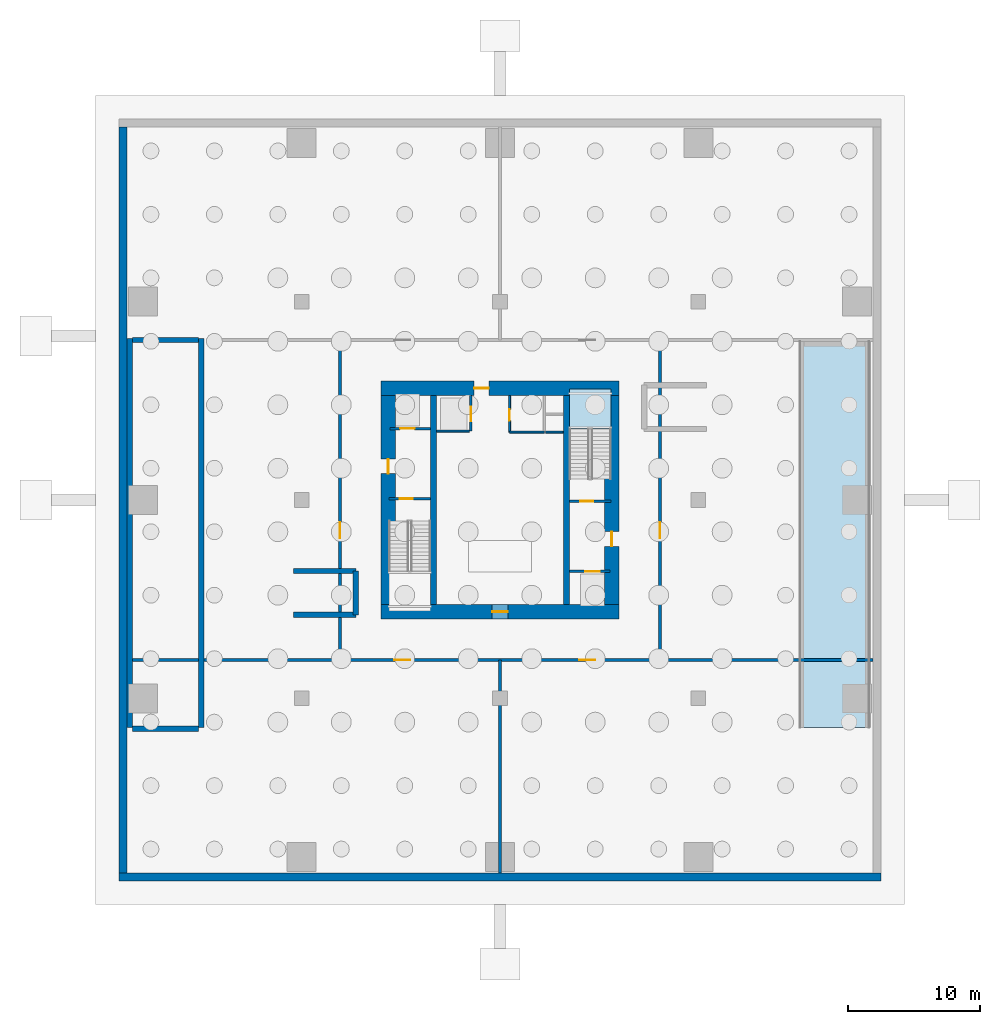
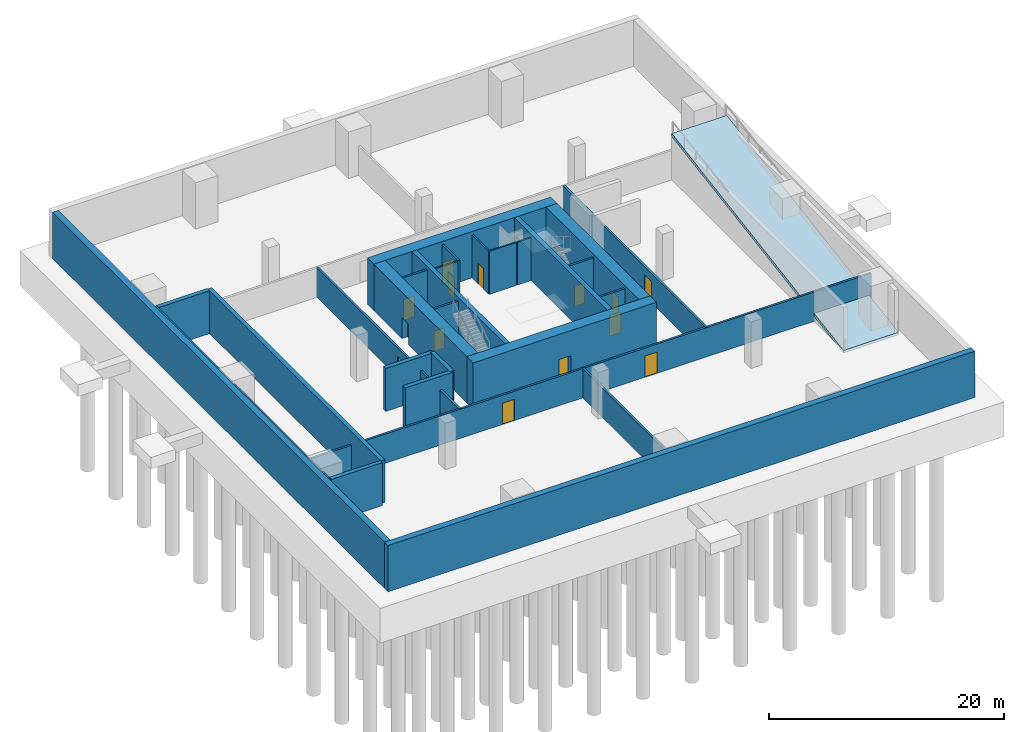
# One storey, part 2 of 6: 28 walls, 14 doors, 2 slabs, 14 openings, 1 element without a shape of its own.
"""IFC4 building model written with IfcOpenShell, lengths in metres."""

from ifc_helpers import new_model, si_unit, direction, frame, frame_2d, origin, place, context, subcontext, project, spatial, polyline, rectangle, outline, extrude, material, layer, layer_set, type_object, element, fill, aggregate, save


model = new_model("IFC4")

# Units and contexts
model_context = context("Model", 3, precision=1e-05, world=origin(), true_north=direction((0.0, 1.0)))
body_context = subcontext(model_context, "Body", "Model", "MODEL_VIEW")
ifc_project = project(units=[si_unit("LENGTHUNIT", "METRE"), si_unit("AREAUNIT", "SQUARE_METRE"), si_unit("VOLUMEUNIT", "CUBIC_METRE"), si_unit("PLANEANGLEUNIT", "RADIAN"), si_unit("MASSUNIT", "GRAM", prefix="KILO")], contexts=[model_context])

# Site, building, storey
site_placement = place(None, origin())
site = spatial("IfcSite", under=ifc_project, at=site_placement, CompositionType="ELEMENT")
building_placement = place(site_placement, origin())
building = spatial("IfcBuilding", under=site, at=building_placement, Name="Belovzor Exchange Tower", CompositionType="ELEMENT")
storey_placement = place(building_placement, frame((0.0, 0.0, -9.60009765625)))
storey = spatial("IfcBuildingStorey", under=building, at=storey_placement, Name="B02", CompositionType="ELEMENT", Elevation=-9.60009765625)

# Slab
ifc_material_1 = material(Name="Concrete C50/60", Category="concrete")
ifc_layer_1 = layer(ifc_material_1, 0.320068359375)
ifc_layer_set_1 = layer_set([ifc_layer_1], Name="Concrete C50/60")
slab_type_1 = type_object("IfcSlabType", Name="Heated Reinforced Concrete Vehicle Ramp Slab 320", PredefinedType="FLOOR", material=ifc_layer_set_1)
slab_1_placement = place(storey_placement, frame((51.39990234375, 11.60009765625, 0.0), z_axis=(0.0, -0.162208471042, 0.98675651096), x_axis=(1.0, 0.0, 0.0)))
element("IfcSlab", 1, at=slab_1_placement, inside=storey, type_object=slab_type_1, Name="SL-RMP320 Vehicle Car Park Ramp B02", PredefinedType="FLOOR", context=body_context, shape_type="SweptSolid", body=[
    extrude(outline(polyline([(0.0, 0.0), (5.400146484375, 0.0), (5.400146484375, 29.591850519902742), (0.0, 29.591850519902742), (0.0, 0.0)])), origin(), (0.0, 0.0, -1.0), 0.320068359375),
])

# Stair, slab
ifc_material_2 = material(Name="Concrete C40/50", Category="concrete")
stair_type = type_object("IfcStairType", Name="Reinforced Concrete Dogleg Escape Stair 1350", PredefinedType="HALF_TURN_STAIR", material=ifc_material_2)
stair_placement = place(storey_placement, origin())
stair = element("IfcStair", 2, at=stair_placement, inside=storey, type_object=stair_type, Name="B02 ST-2", PredefinedType="HALF_TURN_STAIR")
ifc_material_3 = material(Name="Concrete C40/50", Category="concrete")
ifc_layer_2 = layer(ifc_material_3, 0.199951171875)
ifc_layer_set_2 = layer_set([ifc_layer_2], Name="Concrete C40/50")
slab_type_2 = type_object("IfcSlabType", Name="Reinforced Concrete Stair Half-Landing Slab 200", PredefinedType="LANDING", material=ifc_layer_set_2)
slab_2_placement = place(storey_placement, frame((0.0, 0.0, 2.2001953125)))
slab_2 = element("IfcSlab", 3, at=slab_2_placement, type_object=slab_type_2, Name="ST-2 landing 1", PredefinedType="LANDING", context=body_context, shape_type="SweptSolid", body=[
    extrude(outline(polyline([(37.199951171875, 34.169921875), (37.199951171875, 37.199951171875), (34.050048828125, 37.199951171875), (34.050048828125, 34.169921875), (37.199951171875, 34.169921875)])), origin(), (0.0, 0.0, 1.0), 0.199951171875),
])
aggregate(stair, [slab_2])

# Wall, opening, door
ifc_material_4 = material(Name="Fire-Rated Gypsum Block and Mineral Wool", Category="gypsum")
ifc_layer_3 = layer(ifc_material_4, 0.14990234375)
ifc_layer_set_3 = layer_set([ifc_layer_3], Name="Fire-Rated Gypsum Block and Mineral Wool")
wall_type_1 = type_object("IfcWallType", Name="Fire-Rated Gypsum Block Corridor Wall 150", PredefinedType="PARTITIONING", material=ifc_layer_set_3)
wall_1_placement = place(storey_placement, frame((29.52490234375, 33.925048828125, 0.0), z_axis=(0.0, 0.0, 1.0), x_axis=(0.0, 1.0, 0.0)))
wall_1 = element("IfcWall", 4, at=wall_1_placement, inside=storey, type_object=wall_type_1, Name="W-P150 Partition Wall W-CRV-B02-W", PredefinedType="PARTITIONING", context=body_context, shape_type="SweptSolid", body=[
    extrude(rectangle(XDim=2.77490234375, YDim=0.14990234375, at=frame_2d((1.387451171875, 0.0))), origin(), (0.0, 0.0, 1.0), 4.4501953125),
])
opening_1_placement = place(wall_1_placement, frame((0.85009765625, 0.0, 0.0)))
opening_1 = element("IfcOpeningElement", 5, at=opening_1_placement, cuts=wall_1, Name="Opening D-FD60-090", PredefinedType="OPENING", context=body_context, shape_type="SweptSolid", body=[
    extrude(rectangle(XDim=0.89990234375, YDim=2.10009765625, at=frame_2d((0.449951171875, 1.050048828125))), frame((0.0, 0.0849609375, 0.0), z_axis=(0.0, -1.0, 0.0), x_axis=(1.0, 0.0, 0.0)), (0.0, 0.0, 1.0), 0.169921875),
])
ifc_material_5 = material(Name="Acoustic Timber Fire Leaf", Category="wood")
door_type_1 = type_object("IfcDoorType", Name="Core Service & Restroom Fire Door 900x2100", OperationType="NOTDEFINED", PredefinedType="DOOR", material=ifc_material_5)
door_1_placement = place(opening_1_placement, origin())
door_1 = element("IfcDoor", 6, at=door_1_placement, inside=storey, type_object=door_type_1, Name="D-FD60-090 Core Service & Restroom Fire Door 900x2100", OperationType="SINGLE_SWING_LEFT", OverallHeight=2.10009765625, OverallWidth=0.89990234375, PredefinedType="DOOR", context=body_context, shape_type="SweptSolid", body=[
    extrude(rectangle(XDim=0.89990234375, YDim=2.10009765625, at=frame_2d((0.449951171875, 1.050048828125))), frame((0.0, 0.02490234375, 0.0), z_axis=(0.0, -1.0, 0.0), x_axis=(1.0, 0.0, 0.0)), (0.0, 0.0, 1.0), 0.050048828125),
])
fill(opening_1, door_1)

# Walls
wall_2_placement = place(storey_placement, frame((29.52490234375, 33.925048828125, 0.0), z_axis=(0.0, 0.0, 1.0), x_axis=(1.0, 0.0, 0.0)))
element("IfcWall", 7, at=wall_2_placement, inside=storey, type_object=wall_type_1, Name="W-P150 Partition Wall W-CRV-B02-S", PredefinedType="PARTITIONING", context=body_context, shape_type="SweptSolid", body=[
    extrude(rectangle(XDim=2.625, YDim=0.14990234375, at=frame_2d((1.3125, 0.0))), origin(), (0.0, 0.0, 1.0), 4.4501953125),
])
ifc_material_6 = material(Name="Concrete C50/60", Category="concrete")
ifc_layer_4 = layer(ifc_material_6, 0.60009765625)
ifc_layer_set_4 = layer_set([ifc_layer_4], Name="Concrete C50/60")
wall_type_2 = type_object("IfcWallType", Name="Reinforced Concrete Basement Diaphragm Retaining Wall 600", PredefinedType="SOLIDWALL", material=ifc_layer_set_4)
wall_3_placement = place(storey_placement, frame((0.0, 0.300048828125, 0.0), z_axis=(0.0, 0.0, 1.0), x_axis=(1.0, 0.0, 0.0)))
element("IfcWall", 8, at=wall_3_placement, inside=storey, type_object=wall_type_2, Name="DW-060 Basement Diaphragm Wall B02 S", PredefinedType="SOLIDWALL", context=body_context, shape_type="SweptSolid", body=[
    extrude(rectangle(XDim=57.60009765625, YDim=0.60009765625, at=frame_2d((28.800048828125, 0.0))), origin(), (0.0, 0.0, 1.0), 4.800048828125),
])
wall_4_placement = place(storey_placement, frame((0.300048828125, 0.60009765625, 0.0), z_axis=(0.0, 0.0, 1.0), x_axis=(0.0, 1.0, 0.0)))
element("IfcWall", 9, at=wall_4_placement, inside=storey, type_object=wall_type_2, Name="DW-060 Basement Diaphragm Wall B02 W", PredefinedType="SOLIDWALL", context=body_context, shape_type="SweptSolid", body=[
    extrude(rectangle(XDim=56.39990234375, YDim=0.60009765625, at=frame_2d((28.199951171875, 0.0))), origin(), (0.0, 0.0, 1.0), 4.800048828125),
])

# Wall, openings, doors
ifc_material_7 = material(Name="Concrete C40/50", Category="concrete")
ifc_layer_5 = layer(ifc_material_7, 0.199951171875)
ifc_layer_set_5 = layer_set([ifc_layer_5], Name="Concrete C40/50")
wall_type_3 = type_object("IfcWallType", Name="Reinforced Concrete Compartment Wall 200", PredefinedType="PARTITIONING", material=ifc_layer_set_5)
wall_5_placement = place(storey_placement, frame((0.60009765625, 16.699951171875, 0.0), z_axis=(0.0, 0.0, 1.0), x_axis=(1.0, 0.0, 0.0)))
wall_5 = element("IfcWall", 10, at=wall_5_placement, inside=storey, type_object=wall_type_3, Name="W-C200 Partition Wall W-B02-CS", PredefinedType="PARTITIONING", context=body_context, shape_type="SweptSolid", body=[
    extrude(rectangle(XDim=56.39990234375, YDim=0.199951171875, at=frame_2d((28.199951171875, 0.0))), origin(), (0.0, 0.0, 1.0), 3.03515625),
])
opening_2_placement = place(wall_5_placement, frame((20.199951171875, 0.0, 0.0)))
opening_2 = element("IfcOpeningElement", 11, at=opening_2_placement, cuts=wall_5, Name="Opening D-FD90-120", PredefinedType="OPENING", context=body_context, shape_type="SweptSolid", body=[
    extrude(rectangle(XDim=1.199951171875, YDim=2.199951171875, at=frame_2d((0.60009765625, 1.10009765625))), frame((0.0, 0.10986328125, 0.0), z_axis=(0.0, -1.0, 0.0), x_axis=(1.0, 0.0, 0.0)), (0.0, 0.0, 1.0), 0.219970703125),
])
opening_3_placement = place(wall_5_placement, frame((34.199951171875, 0.0, 0.0)))
opening_3 = element("IfcOpeningElement", 12, at=opening_3_placement, cuts=wall_5, Name="Opening D-FD90-120", PredefinedType="OPENING", context=body_context, shape_type="SweptSolid", body=[
    extrude(rectangle(XDim=1.199951171875, YDim=2.199951171875, at=frame_2d((0.60009765625, 1.10009765625))), frame((0.0, 0.10986328125, 0.0), z_axis=(0.0, -1.0, 0.0), x_axis=(1.0, 0.0, 0.0)), (0.0, 0.0, 1.0), 0.219970703125),
])
ifc_material_8 = material(Name="Fire-Rated Galvanised Steel Leaf", Category="steel")
door_type_2 = type_object("IfcDoorType", Name="Heavy Plant & Foyer Fire Door 1200x2200", OperationType="NOTDEFINED", PredefinedType="DOOR", material=ifc_material_8)
door_2_placement = place(opening_2_placement, origin())
door_2 = element("IfcDoor", 13, at=door_2_placement, inside=storey, type_object=door_type_2, Name="D-FD90-120 Heavy Plant & Foyer Fire Door 1200x2200", OperationType="SINGLE_SWING_LEFT", OverallHeight=2.199951171875, OverallWidth=1.199951171875, PredefinedType="DOOR", context=body_context, shape_type="SweptSolid", body=[
    extrude(rectangle(XDim=1.199951171875, YDim=2.199951171875, at=frame_2d((0.60009765625, 1.10009765625))), frame((0.0, 0.02490234375, 0.0), z_axis=(0.0, -1.0, 0.0), x_axis=(1.0, 0.0, 0.0)), (0.0, 0.0, 1.0), 0.050048828125),
])
fill(opening_2, door_2)
door_3_placement = place(opening_3_placement, origin())
door_3 = element("IfcDoor", 14, at=door_3_placement, inside=storey, type_object=door_type_2, Name="D-FD90-120 Heavy Plant & Foyer Fire Door 1200x2200", OperationType="SINGLE_SWING_RIGHT", OverallHeight=2.199951171875, OverallWidth=1.199951171875, PredefinedType="DOOR", context=body_context, shape_type="SweptSolid", body=[
    extrude(rectangle(XDim=1.199951171875, YDim=2.199951171875, at=frame_2d((0.60009765625, 1.10009765625))), frame((0.0, 0.02490234375, 0.0), z_axis=(0.0, -1.0, 0.0), x_axis=(1.0, 0.0, 0.0)), (0.0, 0.0, 1.0), 0.050048828125),
])
fill(opening_3, door_3)

# Wall, opening, door
wall_6_placement = place(storey_placement, frame((16.699951171875, 16.699951171875, 0.0), z_axis=(0.0, 0.0, 1.0), x_axis=(0.0, 1.0, 0.0)))
wall_6 = element("IfcWall", 15, at=wall_6_placement, inside=storey, type_object=wall_type_3, Name="W-C200 Partition Wall W-B02-CW", PredefinedType="PARTITIONING", context=body_context, shape_type="SweptSolid", body=[
    extrude(rectangle(XDim=24.199951171875, YDim=0.199951171875, at=frame_2d((12.10009765625, 0.0))), origin(), (0.0, 0.0, 1.0), 3.03515625),
])
opening_4_placement = place(wall_6_placement, frame((9.199951171875, 0.0, 0.0)))
opening_4 = element("IfcOpeningElement", 16, at=opening_4_placement, cuts=wall_6, Name="Opening D-FD90-120", PredefinedType="OPENING", context=body_context, shape_type="SweptSolid", body=[
    extrude(rectangle(XDim=1.199951171875, YDim=2.199951171875, at=frame_2d((0.60009765625, 1.10009765625))), frame((0.0, 0.10986328125, 0.0), z_axis=(0.0, -1.0, 0.0), x_axis=(1.0, 0.0, 0.0)), (0.0, 0.0, 1.0), 0.219970703125),
])
door_4_placement = place(opening_4_placement, origin())
door_4 = element("IfcDoor", 17, at=door_4_placement, inside=storey, type_object=door_type_2, Name="D-FD90-120 Heavy Plant & Foyer Fire Door 1200x2200", OperationType="SINGLE_SWING_LEFT", OverallHeight=2.199951171875, OverallWidth=1.199951171875, PredefinedType="DOOR", context=body_context, shape_type="SweptSolid", body=[
    extrude(rectangle(XDim=1.199951171875, YDim=2.199951171875, at=frame_2d((0.60009765625, 1.10009765625))), frame((0.0, 0.02490234375, 0.0), z_axis=(0.0, -1.0, 0.0), x_axis=(1.0, 0.0, 0.0)), (0.0, 0.0, 1.0), 0.050048828125),
])
fill(opening_4, door_4)

wall_7_placement = place(storey_placement, frame((40.89990234375, 16.699951171875, 0.0), z_axis=(0.0, 0.0, 1.0), x_axis=(0.0, 1.0, 0.0)))
wall_7 = element("IfcWall", 18, at=wall_7_placement, inside=storey, type_object=wall_type_3, Name="W-C200 Partition Wall W-B02-CE", PredefinedType="PARTITIONING", context=body_context, shape_type="SweptSolid", body=[
    extrude(rectangle(XDim=24.199951171875, YDim=0.199951171875, at=frame_2d((12.10009765625, 0.0))), origin(), (0.0, 0.0, 1.0), 3.03515625),
])
opening_5_placement = place(wall_7_placement, frame((9.199951171875, 0.0, 0.0)))
opening_5 = element("IfcOpeningElement", 19, at=opening_5_placement, cuts=wall_7, Name="Opening D-FD90-120", PredefinedType="OPENING", context=body_context, shape_type="SweptSolid", body=[
    extrude(rectangle(XDim=1.199951171875, YDim=2.199951171875, at=frame_2d((0.60009765625, 1.10009765625))), frame((0.0, 0.10986328125, 0.0), z_axis=(0.0, -1.0, 0.0), x_axis=(1.0, 0.0, 0.0)), (0.0, 0.0, 1.0), 0.219970703125),
])
door_5_placement = place(opening_5_placement, origin())
door_5 = element("IfcDoor", 20, at=door_5_placement, inside=storey, type_object=door_type_2, Name="D-FD90-120 Heavy Plant & Foyer Fire Door 1200x2200", OperationType="SINGLE_SWING_RIGHT", OverallHeight=2.199951171875, OverallWidth=1.199951171875, PredefinedType="DOOR", context=body_context, shape_type="SweptSolid", body=[
    extrude(rectangle(XDim=1.199951171875, YDim=2.199951171875, at=frame_2d((0.60009765625, 1.10009765625))), frame((0.0, 0.02490234375, 0.0), z_axis=(0.0, -1.0, 0.0), x_axis=(1.0, 0.0, 0.0)), (0.0, 0.0, 1.0), 0.050048828125),
])
fill(opening_5, door_5)

# Walls
wall_8_placement = place(storey_placement, frame((28.800048828125, 0.60009765625, 0.0), z_axis=(0.0, 0.0, 1.0), x_axis=(0.0, 1.0, 0.0)))
element("IfcWall", 21, at=wall_8_placement, inside=storey, type_object=wall_type_3, Name="W-C200 Partition Wall W-B02-DIVS", PredefinedType="PARTITIONING", context=body_context, shape_type="SweptSolid", body=[
    extrude(rectangle(XDim=16.099853515625, YDim=0.199951171875, at=frame_2d((8.0498046875, 0.0))), origin(), (0.0, 0.0, 1.0), 3.03515625),
])
ifc_material_9 = material(Name="Concrete C50/60", Category="concrete")
ifc_layer_6 = layer(ifc_material_9, 0.39990234375)
ifc_layer_set_6 = layer_set([ifc_layer_6], Name="Concrete C50/60")
wall_type_4 = type_object("IfcWallType", Name="Reinforced Concrete Core Internal Web Wall 400", PredefinedType="SHEAR", material=ifc_layer_set_6)
for number, where, z_axis, x_axis, name in (
    (22, (0.800048828125, 11.60009765625, 0.0), (0.0, 0.0, 1.0), (0.0, 1.0, 0.0), "CW-W040 Vehicle Ramp Support Wall RWALL-B02-W1"),
    (23, (6.199951171875, 11.60009765625, 0.0), (0.0, 0.0, 1.0), (0.0, 1.0, 0.0), "CW-W040 Vehicle Ramp Support Wall RWALL-B02-W2"),
):
    element("IfcWall", number, at=place(storey_placement, frame(where, z_axis=z_axis, x_axis=x_axis)), inside=storey, type_object=wall_type_4, Name=name, PredefinedType="SHEAR", context=body_context, shape_type="SweptSolid", body=[
        extrude(rectangle(XDim=29.39990234375, YDim=0.39990234375, at=frame_2d((14.699951171875, 0.0))), origin(), (0.0, 0.0, 1.0), 4.4501953125),
    ])
for number, where, z_axis, x_axis, name in (
    (24, (1.0, 40.89990234375, 0.0), (0.0, 0.0, 1.0), (1.0, 0.0, 0.0), "CW-W040 Vehicle Ramp Support Wall RWALL-B02-WH"),
    (25, (1.0, 11.5, 0.0), (0.0, 0.0, 1.0), (1.0, 0.0, 0.0), "CW-W040 Vehicle Ramp Support Wall RWALL-B02-WS"),
):
    element("IfcWall", number, at=place(storey_placement, frame(where, z_axis=z_axis, x_axis=x_axis)), inside=storey, type_object=wall_type_4, Name=name, PredefinedType="SHEAR", context=body_context, shape_type="SweptSolid", body=[
        extrude(rectangle(XDim=5.0, YDim=0.39990234375, at=frame_2d((2.5, 0.0))), origin(), (0.0, 0.0, 1.0), 4.4501953125),
    ])
for number, where, z_axis, x_axis, name in (
    (26, (13.199951171875, 20.114990234375, 0.0), (0.0, 0.0, 1.0), (1.0, 0.0, 0.0), "CW-W040 Vehicle Ramp Support Wall SWALL-B02-ST3S"),
    (27, (13.199951171875, 23.43505859375, 0.0), (0.0, 0.0, 1.0), (1.0, 0.0, 0.0), "CW-W040 Vehicle Ramp Support Wall SWALL-B02-ST3N"),
):
    element("IfcWall", number, at=place(storey_placement, frame(where, z_axis=z_axis, x_axis=x_axis)), inside=storey, type_object=wall_type_4, Name=name, PredefinedType="SHEAR", context=body_context, shape_type="SweptSolid", body=[
        extrude(rectangle(XDim=4.699951171875, YDim=0.39990234375, at=frame_2d((2.35009765625, 0.0))), origin(), (0.0, 0.0, 1.0), 4.447998046875),
    ])
wall_9_placement = place(storey_placement, frame((17.885009765625, 20.114990234375, 0.0), z_axis=(0.0, 0.0, 1.0), x_axis=(0.0, 1.0, 0.0)))
element("IfcWall", 28, at=wall_9_placement, inside=storey, type_object=wall_type_4, Name="CW-W040 Vehicle Ramp Support Wall SWALL-B02-ST3E", PredefinedType="SHEAR", context=body_context, shape_type="SweptSolid", body=[
    extrude(rectangle(XDim=3.320068359375, YDim=0.39990234375, at=frame_2d((1.66015625, 0.0))), origin(), (0.0, 0.0, 1.0), 4.447998046875),
])
ifc_material_10 = material(Name="Concrete C50/60", Category="concrete")
ifc_layer_7 = layer(ifc_material_10, 0.449951171875)
ifc_layer_set_7 = layer_set([ifc_layer_7], Name="Concrete C50/60")
wall_type_5 = type_object("IfcWallType", Name="Reinforced Concrete Core Internal Web Wall 450", PredefinedType="SHEAR", material=ifc_layer_set_7)
for number, where, z_axis, x_axis, name in (
    (29, (23.77490234375, 20.89990234375, 0.0), (0.0, 0.0, 1.0), (0.0, 1.0, 0.0), "CW-W045 Core Internal Web Wall B02 WL"),
    (30, (33.824951171875, 20.89990234375, 0.0), (0.0, 0.0, 1.0), (0.0, 1.0, 0.0), "CW-W045 Core Internal Web Wall B02 ER"),
):
    element("IfcWall", number, at=place(storey_placement, frame(where, z_axis=z_axis, x_axis=x_axis)), inside=storey, type_object=wall_type_5, Name=name, PredefinedType="SHEAR", context=body_context, shape_type="SweptSolid", body=[
        extrude(rectangle(XDim=15.800048828125, YDim=0.449951171875, at=frame_2d((7.89990234375, 0.0))), origin(), (0.0, 0.0, 1.0), 4.800048828125),
    ])
ifc_material_11 = material(Name="Concrete C50/60", Category="concrete")
ifc_layer_8 = layer(ifc_material_11, 0.14990234375)
ifc_layer_set_8 = layer_set([ifc_layer_8], Name="Concrete C50/60")
wall_type_6 = type_object("IfcWallType", Name="Reinforced Concrete Core Riser Shear Wall 150", PredefinedType="SHEAR", material=ifc_layer_set_8)
wall_10_placement = place(storey_placement, frame((32.25, 33.925048828125, 0.0), z_axis=(0.0, 0.0, 1.0), x_axis=(1.0, 0.0, 0.0)))
element("IfcWall", 31, at=wall_10_placement, inside=storey, type_object=wall_type_6, Name="W-C150S Core Shaft Wall W-RSR-B02-S", PredefinedType="SHEAR", context=body_context, shape_type="SweptSolid", body=[
    extrude(rectangle(XDim=1.330078125, YDim=0.14990234375, at=frame_2d((0.6650390625, 0.0))), origin(), (0.0, 0.0, 1.0), 4.4501953125),
])
wall_11_placement = place(storey_placement, frame((24.0, 34.0, 0.0), z_axis=(0.0, 0.0, 1.0), x_axis=(1.0, 0.0, 0.0)))
element("IfcWall", 32, at=wall_11_placement, inside=storey, type_object=wall_type_6, Name="W-C150S Core Shaft Wall W-SH-B02-SL-01S", PredefinedType="SHEAR", context=body_context, shape_type="SweptSolid", body=[
    extrude(rectangle(XDim=2.47998046875, YDim=0.14990234375, at=frame_2d((1.239990234375, 0.0))), origin(), (0.0, 0.0, 1.0), 4.4501953125),
])

# Wall, opening, door
ifc_material_12 = material(Name="Concrete C50/60", Category="concrete")
ifc_layer_9 = layer(ifc_material_12, 0.199951171875)
ifc_layer_set_9 = layer_set([ifc_layer_9], Name="Concrete C50/60")
wall_type_7 = type_object("IfcWallType", Name="Reinforced Concrete Core Shaft Shear Wall 200", PredefinedType="SHEAR", material=ifc_layer_set_9)
wall_12_placement = place(storey_placement, frame((20.39990234375, 28.89990234375, 0.0), z_axis=(0.0, 0.0, 1.0), x_axis=(1.0, 0.0, 0.0)))
wall_12 = element("IfcWall", 33, at=wall_12_placement, inside=storey, type_object=wall_type_7, Name="W-C200S Core Shaft Wall W-CORE-B02-FFLW1", PredefinedType="SHEAR", context=body_context, shape_type="SweptSolid", body=[
    extrude(rectangle(XDim=3.150146484375, YDim=0.199951171875, at=frame_2d((1.5751953125, 0.0))), origin(), (0.0, 0.0, 1.0), 4.4501953125),
])
opening_6_placement = place(wall_12_placement, frame((0.800048828125, 0.0, 0.0)))
opening_6 = element("IfcOpeningElement", 34, at=opening_6_placement, cuts=wall_12, Name="Opening D-FD90-100", PredefinedType="OPENING", context=body_context, shape_type="SweptSolid", body=[
    extrude(rectangle(XDim=1.0, YDim=2.10009765625, at=frame_2d((0.5, 1.050048828125))), frame((0.0, 0.10986328125, 0.0), z_axis=(0.0, -1.0, 0.0), x_axis=(1.0, 0.0, 0.0)), (0.0, 0.0, 1.0), 0.219970703125),
])
ifc_material_13 = material(Name="Fire-Rated Galvanised Steel Leaf", Category="steel")
door_type_3 = type_object("IfcDoorType", Name="Protected Stairwell Single Fire Door 1000x2100", OperationType="NOTDEFINED", PredefinedType="DOOR", material=ifc_material_13)
door_6_placement = place(opening_6_placement, origin())
door_6 = element("IfcDoor", 35, at=door_6_placement, inside=storey, type_object=door_type_3, Name="D-FD90-100 Protected Stairwell Single Fire Door 1000x2100", OperationType="SINGLE_SWING_RIGHT", OverallHeight=2.10009765625, OverallWidth=1.0, PredefinedType="DOOR", context=body_context, shape_type="SweptSolid", body=[
    extrude(rectangle(XDim=1.0, YDim=2.10009765625, at=frame_2d((0.5, 1.050048828125))), frame((0.0, 0.02490234375, 0.0), z_axis=(0.0, -1.0, 0.0), x_axis=(1.0, 0.0, 0.0)), (0.0, 0.0, 1.0), 0.050048828125),
])
fill(opening_6, door_6)

wall_13_placement = place(storey_placement, frame((34.050048828125, 28.699951171875, 0.0), z_axis=(0.0, 0.0, 1.0), x_axis=(1.0, 0.0, 0.0)))
wall_13 = element("IfcWall", 36, at=wall_13_placement, inside=storey, type_object=wall_type_7, Name="W-C200S Core Shaft Wall W-CORE-B02-FFLE2", PredefinedType="SHEAR", context=body_context, shape_type="SweptSolid", body=[
    extrude(rectangle(XDim=3.14990234375, YDim=0.199951171875, at=frame_2d((1.574951171875, 0.0))), origin(), (0.0, 0.0, 1.0), 4.4501953125),
])
opening_7_placement = place(wall_13_placement, frame((0.800048828125, 0.0, 0.0)))
opening_7 = element("IfcOpeningElement", 37, at=opening_7_placement, cuts=wall_13, Name="Opening D-FD90-100", PredefinedType="OPENING", context=body_context, shape_type="SweptSolid", body=[
    extrude(rectangle(XDim=1.0, YDim=2.10009765625, at=frame_2d((0.5, 1.050048828125))), frame((0.0, 0.10986328125, 0.0), z_axis=(0.0, -1.0, 0.0), x_axis=(1.0, 0.0, 0.0)), (0.0, 0.0, 1.0), 0.219970703125),
])
door_7_placement = place(opening_7_placement, origin())
door_7 = element("IfcDoor", 38, at=door_7_placement, inside=storey, type_object=door_type_3, Name="D-FD90-100 Protected Stairwell Single Fire Door 1000x2100", OperationType="SINGLE_SWING_LEFT", OverallHeight=2.10009765625, OverallWidth=1.0, PredefinedType="DOOR", context=body_context, shape_type="SweptSolid", body=[
    extrude(rectangle(XDim=1.0, YDim=2.10009765625, at=frame_2d((0.5, 1.050048828125))), frame((0.0, 0.02490234375, 0.0), z_axis=(0.0, -1.0, 0.0), x_axis=(1.0, 0.0, 0.0)), (0.0, 0.0, 1.0), 0.050048828125),
])
fill(opening_7, door_7)

wall_14_placement = place(storey_placement, frame((20.5, 34.199951171875, 0.0), z_axis=(0.0, 0.0, 1.0), x_axis=(1.0, 0.0, 0.0)))
wall_14 = element("IfcWall", 39, at=wall_14_placement, inside=storey, type_object=wall_type_7, Name="W-C200S Core Shaft Wall W-SH-B02-FFL-01", PredefinedType="SHEAR", context=body_context, shape_type="SweptSolid", body=[
    extrude(rectangle(XDim=3.050048828125, YDim=0.199951171875, at=frame_2d((1.52490234375, 0.0))), origin(), (0.0, 0.0, 1.0), 4.4501953125),
])
opening_8_placement = place(wall_14_placement, frame((0.75, 0.0, 0.0)))
opening_8 = element("IfcOpeningElement", 40, at=opening_8_placement, cuts=wall_14, Name="Opening LD-110", PredefinedType="OPENING", context=body_context, shape_type="SweptSolid", body=[
    extrude(rectangle(XDim=1.10009765625, YDim=2.14990234375, at=frame_2d((0.550048828125, 1.074951171875))), frame((0.0, 0.10986328125, 0.0), z_axis=(0.0, -1.0, 0.0), x_axis=(1.0, 0.0, 0.0)), (0.0, 0.0, 1.0), 0.219970703125),
])
ifc_material_14 = material(Name="Stainless Steel Grade 304", Category="steel")
door_type_4 = type_object("IfcDoorType", Name="Automated Stainless Steel Lift Landing Door 1100x2150", OperationType="SLIDING_TO_RIGHT", PredefinedType="DOOR", material=ifc_material_14)
door_8_placement = place(opening_8_placement, origin())
door_8 = element("IfcDoor", 41, at=door_8_placement, inside=storey, type_object=door_type_4, Name="LD-110 Automated Stainless Steel Lift Landing Door 1100x2150", OperationType="SLIDING_TO_RIGHT", OverallHeight=2.14990234375, OverallWidth=1.10009765625, PredefinedType="DOOR", context=body_context, shape_type="SweptSolid", body=[
    extrude(rectangle(XDim=1.10009765625, YDim=2.14990234375, at=frame_2d((0.550048828125, 1.074951171875))), frame((0.0, 0.02490234375, 0.0), z_axis=(0.0, -1.0, 0.0), x_axis=(1.0, 0.0, 0.0)), (0.0, 0.0, 1.0), 0.050048828125),
])
fill(opening_8, door_8)

wall_15_placement = place(storey_placement, frame((34.050048828125, 23.39990234375, 0.0), z_axis=(0.0, 0.0, 1.0), x_axis=(1.0, 0.0, 0.0)))
wall_15 = element("IfcWall", 42, at=wall_15_placement, inside=storey, type_object=wall_type_7, Name="W-C200S Core Shaft Wall W-SH-B02-FFL-02", PredefinedType="SHEAR", context=body_context, shape_type="SweptSolid", body=[
    extrude(rectangle(XDim=3.050048828125, YDim=0.199951171875, at=frame_2d((1.52490234375, 0.0))), origin(), (0.0, 0.0, 1.0), 4.4501953125),
])
opening_9_placement = place(wall_15_placement, frame((1.199951171875, 0.0, 0.0)))
opening_9 = element("IfcOpeningElement", 43, at=opening_9_placement, cuts=wall_15, Name="Opening LD-110", PredefinedType="OPENING", context=body_context, shape_type="SweptSolid", body=[
    extrude(rectangle(XDim=1.10009765625, YDim=2.14990234375, at=frame_2d((0.550048828125, 1.074951171875))), frame((0.0, 0.10986328125, 0.0), z_axis=(0.0, -1.0, 0.0), x_axis=(1.0, 0.0, 0.0)), (0.0, 0.0, 1.0), 0.219970703125),
])
door_9_placement = place(opening_9_placement, origin())
door_9 = element("IfcDoor", 44, at=door_9_placement, inside=storey, type_object=door_type_4, Name="LD-110 Automated Stainless Steel Lift Landing Door 1100x2150", OperationType="SLIDING_TO_RIGHT", OverallHeight=2.14990234375, OverallWidth=1.10009765625, PredefinedType="DOOR", context=body_context, shape_type="SweptSolid", body=[
    extrude(rectangle(XDim=1.10009765625, YDim=2.14990234375, at=frame_2d((0.550048828125, 1.074951171875))), frame((0.0, 0.02490234375, 0.0), z_axis=(0.0, -1.0, 0.0), x_axis=(1.0, 0.0, 0.0)), (0.0, 0.0, 1.0), 0.050048828125),
])
fill(opening_9, door_9)

wall_16_placement = place(storey_placement, frame((26.60009765625, 34.0, 0.0), z_axis=(0.0, 0.0, 1.0), x_axis=(0.0, 1.0, 0.0)))
wall_16 = element("IfcWall", 45, at=wall_16_placement, inside=storey, type_object=wall_type_7, Name="W-C200S Core Shaft Wall W-SH-B02-SL-01", PredefinedType="SHEAR", context=body_context, shape_type="SweptSolid", body=[
    extrude(rectangle(XDim=2.699951171875, YDim=0.199951171875, at=frame_2d((1.35009765625, 0.0))), origin(), (0.0, 0.0, 1.0), 4.4501953125),
])
opening_10_placement = place(wall_16_placement, frame((0.75, 0.0, 0.0)))
opening_10 = element("IfcOpeningElement", 46, at=opening_10_placement, cuts=wall_16, Name="Opening LD-110", PredefinedType="OPENING", context=body_context, shape_type="SweptSolid", body=[
    extrude(rectangle(XDim=1.10009765625, YDim=2.14990234375, at=frame_2d((0.550048828125, 1.074951171875))), frame((0.0, 0.10986328125, 0.0), z_axis=(0.0, -1.0, 0.0), x_axis=(1.0, 0.0, 0.0)), (0.0, 0.0, 1.0), 0.219970703125),
])
door_10_placement = place(opening_10_placement, origin())
door_10 = element("IfcDoor", 47, at=door_10_placement, inside=storey, type_object=door_type_4, Name="LD-110 Automated Stainless Steel Lift Landing Door 1100x2150", OperationType="SLIDING_TO_RIGHT", OverallHeight=2.14990234375, OverallWidth=1.10009765625, PredefinedType="DOOR", context=body_context, shape_type="SweptSolid", body=[
    extrude(rectangle(XDim=1.10009765625, YDim=2.14990234375, at=frame_2d((0.550048828125, 1.074951171875))), frame((0.0, 0.02490234375, 0.0), z_axis=(0.0, -1.0, 0.0), x_axis=(1.0, 0.0, 0.0)), (0.0, 0.0, 1.0), 0.050048828125),
])
fill(opening_10, door_10)

ifc_material_15 = material(Name="Concrete C60/75", Category="concrete")
ifc_layer_10 = layer(ifc_material_15, 1.10009765625)
ifc_layer_set_10 = layer_set([ifc_layer_10], Name="Concrete C60/75")
wall_type_8 = type_object("IfcWallType", Name="Reinforced Concrete Core Shear Wall 1100", PredefinedType="SHEAR", material=ifc_layer_set_10)
wall_17_placement = place(storey_placement, frame((19.800048828125, 20.35009765625, 0.0), z_axis=(0.0, 0.0, 1.0), x_axis=(1.0, 0.0, 0.0)))
wall_17 = element("IfcWall", 48, at=wall_17_placement, inside=storey, type_object=wall_type_8, Name="CW-S110 Core Shear Wall B02 S", PredefinedType="SHEAR", context=body_context, shape_type="SweptSolid", body=[
    extrude(rectangle(XDim=18.0, YDim=1.10009765625, at=frame_2d((9.0, 0.0))), origin(), (0.0, 0.0, 1.0), 4.800048828125),
])
opening_11_placement = place(wall_17_placement, frame((8.39990234375, 0.0, 0.0)))
opening_11 = element("IfcOpeningElement", 49, at=opening_11_placement, cuts=wall_17, Name="Opening D-FD90-120", PredefinedType="OPENING", context=body_context, shape_type="SweptSolid", body=[
    extrude(rectangle(XDim=1.199951171875, YDim=2.199951171875, at=frame_2d((0.60009765625, 1.10009765625))), frame((0.0, 0.56005859375, 0.0), z_axis=(0.0, -1.0, 0.0), x_axis=(1.0, 0.0, 0.0)), (0.0, 0.0, 1.0), 1.1201171875),
])
door_11_placement = place(opening_11_placement, origin())
door_11 = element("IfcDoor", 50, at=door_11_placement, inside=storey, type_object=door_type_2, Name="D-FD90-120 Heavy Plant & Foyer Fire Door 1200x2200", OperationType="SINGLE_SWING_LEFT", OverallHeight=2.199951171875, OverallWidth=1.199951171875, PredefinedType="DOOR", context=body_context, shape_type="SweptSolid", body=[
    extrude(rectangle(XDim=1.199951171875, YDim=2.199951171875, at=frame_2d((0.60009765625, 1.10009765625))), frame((0.0, 0.02490234375, 0.0), z_axis=(0.0, -1.0, 0.0), x_axis=(1.0, 0.0, 0.0)), (0.0, 0.0, 1.0), 0.050048828125),
])
fill(opening_11, door_11)

wall_18_placement = place(storey_placement, frame((19.800048828125, 37.25, 0.0), z_axis=(0.0, 0.0, 1.0), x_axis=(1.0, 0.0, 0.0)))
wall_18 = element("IfcWall", 51, at=wall_18_placement, inside=storey, type_object=wall_type_8, Name="CW-S110 Core Shear Wall B02 N", PredefinedType="SHEAR", context=body_context, shape_type="SweptSolid", body=[
    extrude(rectangle(XDim=18.0, YDim=1.10009765625, at=frame_2d((9.0, 0.0))), origin(), (0.0, 0.0, 1.0), 4.800048828125),
])
opening_12_placement = place(wall_18_placement, frame((7.050048828125, 0.0, 0.0)))
opening_12 = element("IfcOpeningElement", 52, at=opening_12_placement, cuts=wall_18, Name="Opening D-FD90-110", PredefinedType="OPENING", context=body_context, shape_type="SweptSolid", body=[
    extrude(rectangle(XDim=1.10009765625, YDim=2.14990234375, at=frame_2d((0.550048828125, 1.074951171875))), frame((0.0, 0.56005859375, 0.0), z_axis=(0.0, -1.0, 0.0), x_axis=(1.0, 0.0, 0.0)), (0.0, 0.0, 1.0), 1.1201171875),
])
ifc_material_16 = material(Name="Fire-Rated Galvanised Steel Leaf", Category="steel")
door_type_5 = type_object("IfcDoorType", Name="Protected Escape Vestibule Fire Door 1100x2150", OperationType="NOTDEFINED", PredefinedType="DOOR", material=ifc_material_16)
door_12_placement = place(opening_12_placement, origin())
door_12 = element("IfcDoor", 53, at=door_12_placement, inside=storey, type_object=door_type_5, Name="D-FD90-110 Protected Escape Vestibule Fire Door 1100x2150", OperationType="SINGLE_SWING_RIGHT", OverallHeight=2.14990234375, OverallWidth=1.10009765625, PredefinedType="DOOR", context=body_context, shape_type="SweptSolid", body=[
    extrude(rectangle(XDim=1.10009765625, YDim=2.14990234375, at=frame_2d((0.550048828125, 1.074951171875))), frame((0.0, 0.02490234375, 0.0), z_axis=(0.0, -1.0, 0.0), x_axis=(1.0, 0.0, 0.0)), (0.0, 0.0, 1.0), 0.050048828125),
])
fill(opening_12, door_12)

wall_19_placement = place(storey_placement, frame((20.35009765625, 20.89990234375, 0.0), z_axis=(0.0, 0.0, 1.0), x_axis=(0.0, 1.0, 0.0)))
wall_19 = element("IfcWall", 54, at=wall_19_placement, inside=storey, type_object=wall_type_8, Name="CW-S110 Core Shear Wall B02 W", PredefinedType="SHEAR", context=body_context, shape_type="SweptSolid", body=[
    extrude(rectangle(XDim=15.800048828125, YDim=1.10009765625, at=frame_2d((7.89990234375, 0.0))), origin(), (0.0, 0.0, 1.0), 4.800048828125),
])
opening_13_placement = place(wall_19_placement, frame((9.89990234375, 0.0, 0.0)))
opening_13 = element("IfcOpeningElement", 55, at=opening_13_placement, cuts=wall_19, Name="Opening D-FD90-110", PredefinedType="OPENING", context=body_context, shape_type="SweptSolid", body=[
    extrude(rectangle(XDim=1.10009765625, YDim=2.14990234375, at=frame_2d((0.550048828125, 1.074951171875))), frame((0.0, 0.56005859375, 0.0), z_axis=(0.0, -1.0, 0.0), x_axis=(1.0, 0.0, 0.0)), (0.0, 0.0, 1.0), 1.1201171875),
])
door_13_placement = place(opening_13_placement, origin())
door_13 = element("IfcDoor", 56, at=door_13_placement, inside=storey, type_object=door_type_5, Name="D-FD90-110 Protected Escape Vestibule Fire Door 1100x2150", OperationType="SINGLE_SWING_LEFT", OverallHeight=2.14990234375, OverallWidth=1.10009765625, PredefinedType="DOOR", context=body_context, shape_type="SweptSolid", body=[
    extrude(rectangle(XDim=1.10009765625, YDim=2.14990234375, at=frame_2d((0.550048828125, 1.074951171875))), frame((0.0, 0.02490234375, 0.0), z_axis=(0.0, -1.0, 0.0), x_axis=(1.0, 0.0, 0.0)), (0.0, 0.0, 1.0), 0.050048828125),
])
fill(opening_13, door_13)

wall_20_placement = place(storey_placement, frame((37.25, 20.89990234375, 0.0), z_axis=(0.0, 0.0, 1.0), x_axis=(0.0, 1.0, 0.0)))
wall_20 = element("IfcWall", 57, at=wall_20_placement, inside=storey, type_object=wall_type_8, Name="CW-S110 Core Shear Wall B02 E", PredefinedType="SHEAR", context=body_context, shape_type="SweptSolid", body=[
    extrude(rectangle(XDim=15.800048828125, YDim=1.10009765625, at=frame_2d((7.89990234375, 0.0))), origin(), (0.0, 0.0, 1.0), 4.800048828125),
])
opening_14_placement = place(wall_20_placement, frame((4.39990234375, 0.0, 0.0)))
opening_14 = element("IfcOpeningElement", 58, at=opening_14_placement, cuts=wall_20, Name="Opening D-FD90-110", PredefinedType="OPENING", context=body_context, shape_type="SweptSolid", body=[
    extrude(rectangle(XDim=1.10009765625, YDim=2.14990234375, at=frame_2d((0.550048828125, 1.074951171875))), frame((0.0, 0.56005859375, 0.0), z_axis=(0.0, -1.0, 0.0), x_axis=(1.0, 0.0, 0.0)), (0.0, 0.0, 1.0), 1.1201171875),
])
door_14_placement = place(opening_14_placement, origin())
door_14 = element("IfcDoor", 59, at=door_14_placement, inside=storey, type_object=door_type_5, Name="D-FD90-110 Protected Escape Vestibule Fire Door 1100x2150", OperationType="SINGLE_SWING_RIGHT", OverallHeight=2.14990234375, OverallWidth=1.10009765625, PredefinedType="DOOR", context=body_context, shape_type="SweptSolid", body=[
    extrude(rectangle(XDim=1.10009765625, YDim=2.14990234375, at=frame_2d((0.550048828125, 1.074951171875))), frame((0.0, 0.02490234375, 0.0), z_axis=(0.0, -1.0, 0.0), x_axis=(1.0, 0.0, 0.0)), (0.0, 0.0, 1.0), 0.050048828125),
])
fill(opening_14, door_14)

save(model, "model.ifc")
